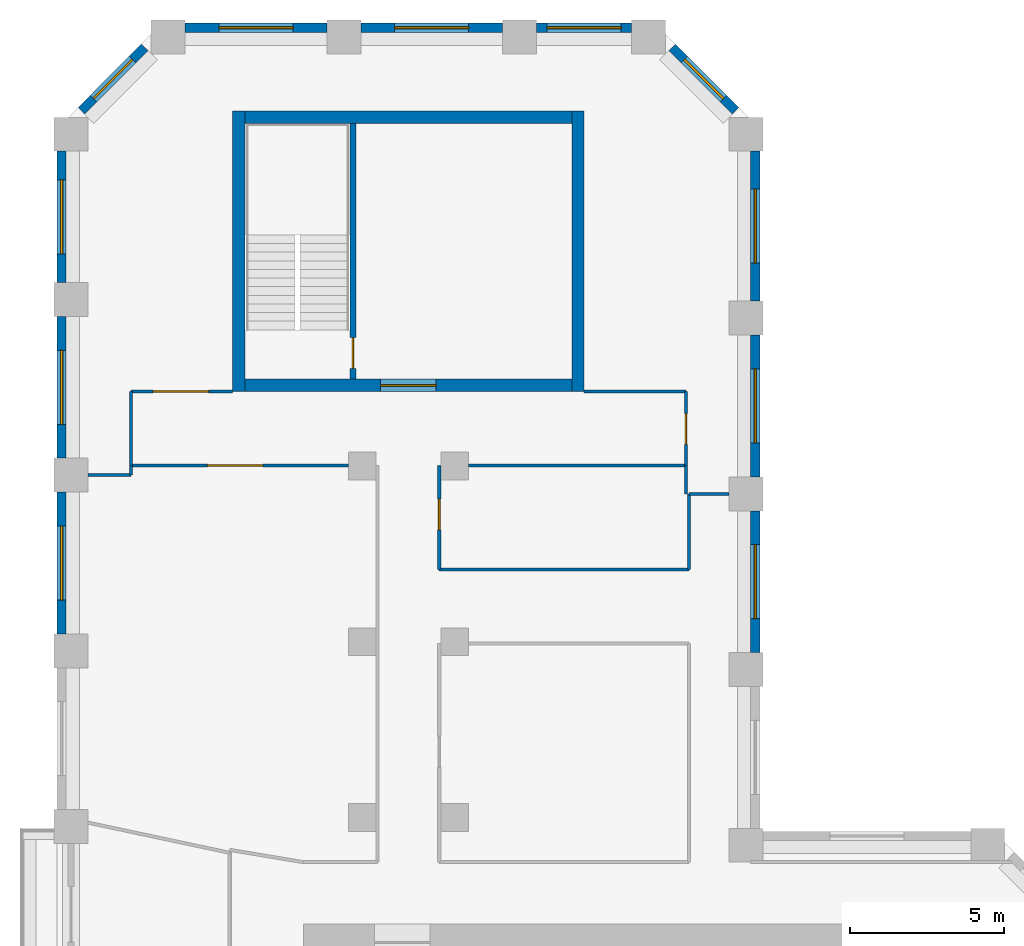
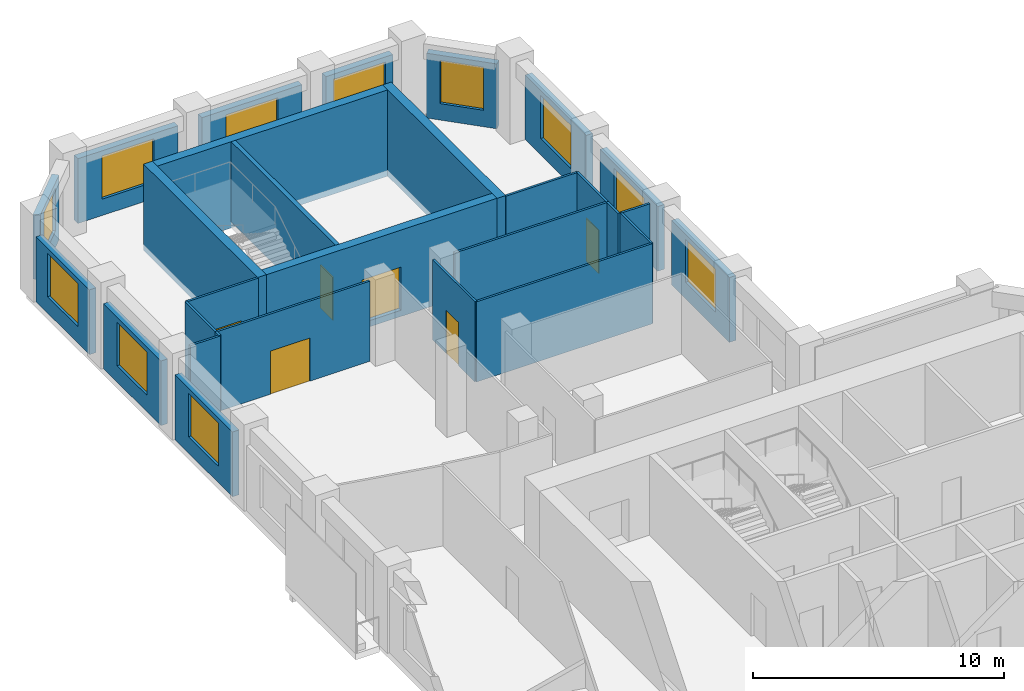
# One storey, part 8 of 10: 29 walls, 11 windows, 6 doors, 17 openings.
"""IFC4 building model written with IfcOpenShell, lengths in metres."""

import ifcopenshell
import ifcopenshell.guid

model = None  # the IFC model being written
_history = None  # IfcOwnerHistory: only IFC2X3 demands one
_inside = {}  # id of a spatial element -> (the spatial element, [elements in it])
_under = {}  # id of a project, library or spatial element -> (it, [spatial elements below it])
_declared = {}  # id of a project -> (the project, [libraries it declares])
_typed = {}  # id of a type object -> (the type object, [elements of that type])
_made_of = {}  # id of a material, layer set ... -> (it, [elements and type objects made of it])


def new_model(schema):
    """Start an empty IFC model of exactly this schema.

    Asked for "IFC4X3", IfcOpenShell would pick the latest addendum, in which some entities
    have other attributes; the version numbers below select the first issue.
    IFC2X3 requires an IfcOwnerHistory on every rooted entity: one is made here for all.
    """
    global model, _history
    if schema == "IFC4X3":
        model = ifcopenshell.file(schema_version=(4, 3, 0, 0))
    else:
        model = ifcopenshell.file(schema=schema)
    _inside.clear()
    _under.clear()
    _declared.clear()
    _typed.clear()
    _made_of.clear()
    _history = None
    if model.schema == "IFC2X3":
        org = make("IfcOrganization", Name="unknown")
        user = make(
            "IfcPersonAndOrganization",
            ThePerson=make("IfcPerson", FamilyName="unknown"),
            TheOrganization=org,
        )
        app = make(
            "IfcApplication",
            ApplicationDeveloper=org,
            Version="unknown",
            ApplicationFullName="unknown",
            ApplicationIdentifier="unknown",
        )
        _history = make(
            "IfcOwnerHistory",
            OwningUser=user,
            OwningApplication=app,
            ChangeAction="ADDED",
            CreationDate=0,
        )
    return model


def make(cls, **values):
    """One entity of the class cls with the attributes given. An attribute that is None is left unset."""
    return model.create_entity(
        cls, **{name: value for name, value in values.items() if value is not None}
    )


def rooted(cls, **values):
    """An entity with a GlobalId (a new one), such as an element, a storey or a relation."""
    return make(cls, GlobalId=ifcopenshell.guid.new(), OwnerHistory=_history, **values)


def si_unit(unit_type, name, prefix=None):
    """IfcSIUnit, for example si_unit("LENGTHUNIT", "METRE", prefix="MILLI")."""
    return make("IfcSIUnit", UnitType=unit_type, Prefix=prefix, Name=name)


def assignment(units):
    """IfcUnitAssignment: the units of a project."""
    return None if units is None else make("IfcUnitAssignment", Units=units)


def point(xyz):
    """IfcCartesianPoint."""
    return None if xyz is None else make("IfcCartesianPoint", Coordinates=xyz)


def direction(xyz):
    """IfcDirection."""
    return None if xyz is None else make("IfcDirection", DirectionRatios=xyz)


def frame(location, z_axis=None, x_axis=None):
    """IfcAxis2Placement3D, a coordinate frame: its origin and axes. An axis left out is left unset."""
    return make(
        "IfcAxis2Placement3D",
        Location=point(location),
        Axis=direction(z_axis),
        RefDirection=direction(x_axis),
    )


def frame_2d(location, x_axis=None):
    """IfcAxis2Placement2D, a coordinate frame in the plane: its origin and x axis."""
    return make(
        "IfcAxis2Placement2D", Location=point(location), RefDirection=direction(x_axis)
    )


def origin():
    """The frame at (0, 0, 0) with its axes left unset."""
    return frame((0.0, 0.0, 0.0))


def place(relative_to, where):
    """IfcLocalPlacement: puts the frame where relative to a parent placement (None: the world)."""
    return make(
        "IfcLocalPlacement", PlacementRelTo=relative_to, RelativePlacement=where
    )


def context(
    kind, dimensions, precision=None, world=None, true_north=None, identifier=None
):
    """IfcGeometricRepresentationContext, for example the 3D "Model" context."""
    return make(
        "IfcGeometricRepresentationContext",
        ContextIdentifier=identifier,
        ContextType=kind,
        CoordinateSpaceDimension=dimensions,
        Precision=precision,
        WorldCoordinateSystem=world,
        TrueNorth=true_north,
    )


def subcontext(parent, identifier, kind, view, scale=None):
    """IfcGeometricRepresentationSubContext, for example "Body" below "Model"."""
    return make(
        "IfcGeometricRepresentationSubContext",
        ContextIdentifier=identifier,
        ContextType=kind,
        ParentContext=parent,
        TargetScale=scale,
        TargetView=view,
    )


def project(units=None, contexts=None):
    """IfcProject with its units and contexts."""
    return rooted(
        "IfcProject",
        Name="project",
        RepresentationContexts=contexts,
        UnitsInContext=assignment(units),
    )


def spatial(cls, under=None, at=None, **own):
    """A site, building, storey or space (cls), placed at a placement, below another one or the project."""
    s = rooted(cls, ObjectPlacement=at, **own)
    if under is not None:
        _under.setdefault(under.id(), (under, []))[1].append(s)
    return s


def profile(cls, at=None, kind="AREA", **sizes):
    """A parametric profile (cls). Its sizes go by their IFC names, for example OverallWidth=200.0."""
    return make(cls, ProfileType=kind, Position=at, **sizes)


def rectangle(**sizes):
    """IfcRectangleProfileDef."""
    return profile("IfcRectangleProfileDef", **sizes)


def extrude(swept, where, along, depth):
    """IfcExtrudedAreaSolid: the profile swept, set in the frame where, extruded along a direction by depth."""
    return make(
        "IfcExtrudedAreaSolid",
        SweptArea=swept,
        Position=where,
        ExtrudedDirection=direction(along),
        Depth=depth,
    )


def shape(context_of_items, identifier, shape_type, items):
    """IfcShapeRepresentation: the items that make up one representation, for example the "Body"."""
    return make(
        "IfcShapeRepresentation",
        ContextOfItems=context_of_items,
        RepresentationIdentifier=identifier,
        RepresentationType=shape_type,
        Items=items,
    )


def material(Name=None, Category=None):
    """IfcMaterial."""
    return make("IfcMaterial", Name=Name, Category=Category)


def layer(
    of_material, thickness, ventilated=None, Name=None, Category=None, Priority=None
):
    """IfcMaterialLayer: one layer of a wall or slab, of a material (None: an air gap)."""
    return make(
        "IfcMaterialLayer",
        Material=of_material,
        LayerThickness=thickness,
        IsVentilated=ventilated,
        Name=Name,
        Category=Category,
        Priority=Priority,
    )


def layer_set(layers, Name=None):
    """IfcMaterialLayerSet."""
    return make("IfcMaterialLayerSet", MaterialLayers=layers, LayerSetName=Name)


def made_of(thing, what):
    """Note that an element or type object is made of a material, layer set ...; save() writes the relation."""
    if what is not None:
        _made_of.setdefault(what.id(), (what, []))[1].append(thing)
    return thing


def type_object(cls, material=None, **own):
    """A type object (cls), such as IfcWallType, which elements share."""
    return made_of(rooted(cls, **own), material)


def element(
    cls,
    number,
    at=None,
    inside=None,
    cuts=None,
    type_object=None,
    material=None,
    context=None,
    identifier="Body",
    shape_type=None,
    held_by="IfcProductDefinitionShape",
    body=None,
    shapes=None,
    **own,
):
    """One element of the class cls, such as IfcWall. Its Tag is "e" and its number.

    at: its placement. inside: the storey or other place that contains it. cuts: it is an
    opening in that element (IfcRelVoidsElement). A single representation is given by context,
    identifier, shape_type and body (its items); several are given by shapes. held_by: the class
    of the entity that holds the representations. save() writes the other relations.
    """
    e = rooted(cls, Tag="e%d" % number, ObjectPlacement=at, **own)
    if body is not None:
        shapes = [shape(context, identifier, shape_type, body)]
    if shapes is not None:
        e.Representation = make(held_by, Representations=shapes)
    if inside is not None:
        _inside.setdefault(inside.id(), (inside, []))[1].append(e)
    if cuts is not None:
        rooted(
            "IfcRelVoidsElement", RelatingBuildingElement=cuts, RelatedOpeningElement=e
        )
    if type_object is not None:
        _typed.setdefault(type_object.id(), (type_object, []))[1].append(e)
    return made_of(e, material)


def fill(opening, filler):
    """IfcRelFillsElement: the door or window that sits in an opening."""
    return rooted(
        "IfcRelFillsElement",
        RelatingOpeningElement=opening,
        RelatedBuildingElement=filler,
    )


def aggregate(whole, parts):
    """IfcRelAggregates: a whole, such as a stair, and the parts it consists of."""
    return rooted("IfcRelAggregates", RelatingObject=whole, RelatedObjects=parts)


def save(model, path):
    """Write the relations noted so far, then the file.

    IfcRelAggregates (storeys below a building ...), IfcRelContainedInSpatialStructure (elements
    in a storey), IfcRelDefinesByType, IfcRelAssociatesMaterial and IfcRelDeclares: one each for
    every whole, place, type object, material and project.
    """
    for whole, parts in _under.values():
        aggregate(whole, parts)
    for where, things in _inside.values():
        rooted(
            "IfcRelContainedInSpatialStructure",
            RelatedElements=things,
            RelatingStructure=where,
        )
    for kind, things in _typed.values():
        rooted("IfcRelDefinesByType", RelatedObjects=things, RelatingType=kind)
    for what, things in _made_of.values():
        rooted("IfcRelAssociatesMaterial", RelatedObjects=things, RelatingMaterial=what)
    for by, libraries in _declared.values():
        rooted("IfcRelDeclares", RelatingContext=by, RelatedDefinitions=libraries)
    model.write(path)


model = new_model("IFC4")

# Units and contexts
model_context = context("Model", 3, precision=1e-05, world=origin(), true_north=direction((0.0, 1.0)))
body_context = subcontext(model_context, "Body", "Model", "MODEL_VIEW")
ifc_project = project(units=[si_unit("LENGTHUNIT", "METRE"), si_unit("AREAUNIT", "SQUARE_METRE"), si_unit("VOLUMEUNIT", "CUBIC_METRE"), si_unit("PLANEANGLEUNIT", "RADIAN"), si_unit("MASSUNIT", "GRAM", prefix="KILO")], contexts=[model_context])

# Site, building, storey
site_placement = place(None, origin())
site = spatial("IfcSite", under=ifc_project, at=site_placement, CompositionType="ELEMENT")
building_placement = place(site_placement, origin())
building = spatial("IfcBuilding", under=site, at=building_placement, Name="Meshkara Civic Tower", CompositionType="ELEMENT")
storey_placement = place(building_placement, frame((0.0, 0.0, 250.800048828125)))
storey = spatial("IfcBuildingStorey", under=building, at=storey_placement, Name="L57", CompositionType="ELEMENT", Elevation=250.800048828125)

# Wall, opening, door
ifc_material_1 = material(Name="Corridor wall 100")
ifc_layer_1 = layer(ifc_material_1, 0.10009765625)
ifc_layer_set_1 = layer_set([ifc_layer_1], Name="Corridor wall 100")
wall_type_1 = type_object("IfcWallType", Name="Corridor wall 100", PredefinedType="PARTITIONING", material=ifc_layer_set_1)
wall_1_placement = place(storey_placement, frame((2.39990234375, 51.77001953125, 0.0), z_axis=(0.0, 0.0, 1.0), x_axis=(1.0, 0.0, 0.0)))
wall_1 = element("IfcWall", 1, at=wall_1_placement, inside=storey, type_object=wall_type_1, Name="L57-W001", PredefinedType="PARTITIONING", context=body_context, shape_type="SweptSolid", body=[
    extrude(rectangle(XDim=7.050048828125, YDim=0.10009765625, at=frame_2d((3.52490234375, 0.0))), origin(), (0.0, 0.0, 1.0), 3.89990234375),
])
opening_1_placement = place(wall_1_placement, frame((2.47998046875, 0.0, 0.0)))
opening_1 = element("IfcOpeningElement", 2, at=opening_1_placement, cuts=wall_1, Name="Opening L57-D016", PredefinedType="OPENING", context=body_context, shape_type="SweptSolid", body=[
    extrude(rectangle(XDim=1.800048828125, YDim=2.10009765625, at=frame_2d((0.89990234375, 1.050048828125))), frame((0.0, 0.06005859375, 0.0), z_axis=(0.0, -1.0, 0.0), x_axis=(1.0, 0.0, 0.0)), (0.0, 0.0, 1.0), 0.1201171875),
])
ifc_material_2 = material(Name="Door pair 1800 x 2100")
door_type_1 = type_object("IfcDoorType", Name="Door pair 1800 x 2100", OperationType="SINGLE_SWING_LEFT", PredefinedType="DOOR", material=ifc_material_2)
door_1_placement = place(opening_1_placement, origin())
door_1 = element("IfcDoor", 3, at=door_1_placement, inside=storey, type_object=door_type_1, Name="L57-D016", OperationType="DOUBLE_DOOR_SINGLE_SWING", OverallHeight=2.10009765625, OverallWidth=1.800048828125, PredefinedType="DOOR", context=body_context, shape_type="SweptSolid", body=[
    extrude(rectangle(XDim=1.800048828125, YDim=2.10009765625, at=frame_2d((0.89990234375, 1.050048828125))), frame((0.0, 0.02490234375, 0.0), z_axis=(0.0, -1.0, 0.0), x_axis=(1.0, 0.0, 0.0)), (0.0, 0.0, 1.0), 0.050048828125),
])
fill(opening_1, door_1)

# Wall
wall_2_placement = place(storey_placement, frame((2.39990234375, 54.169921875, 0.0), z_axis=(0.0, 0.0, 1.0), x_axis=(0.0, -1.0, 0.0)))
element("IfcWall", 4, at=wall_2_placement, inside=storey, type_object=wall_type_1, Name="L57-W002", PredefinedType="PARTITIONING", context=body_context, shape_type="SweptSolid", body=[
    extrude(rectangle(XDim=2.39990234375, YDim=0.10009765625, at=frame_2d((1.199951171875, 0.0))), origin(), (0.0, 0.0, 1.0), 3.89990234375),
])

# Wall, opening, door
wall_3_placement = place(storey_placement, frame((5.699951171875, 54.169921875, 0.0), z_axis=(0.0, 0.0, 1.0), x_axis=(-1.0, 0.0, 0.0)))
wall_3 = element("IfcWall", 5, at=wall_3_placement, inside=storey, type_object=wall_type_1, Name="L57-W005", PredefinedType="PARTITIONING", context=body_context, shape_type="SweptSolid", body=[
    extrude(rectangle(XDim=3.300048828125, YDim=0.10009765625, at=frame_2d((1.64990234375, 0.0))), origin(), (0.0, 0.0, 1.0), 3.89990234375),
])
opening_2_placement = place(wall_3_placement, frame((0.780029296875, 0.0, 0.0)))
opening_2 = element("IfcOpeningElement", 6, at=opening_2_placement, cuts=wall_3, Name="Opening L57-D019", PredefinedType="OPENING", context=body_context, shape_type="SweptSolid", body=[
    extrude(rectangle(XDim=1.800048828125, YDim=2.10009765625, at=frame_2d((0.89990234375, 1.050048828125))), frame((0.0, 0.06005859375, 0.0), z_axis=(0.0, -1.0, 0.0), x_axis=(1.0, 0.0, 0.0)), (0.0, 0.0, 1.0), 0.1201171875),
])
door_2_placement = place(opening_2_placement, origin())
door_2 = element("IfcDoor", 7, at=door_2_placement, inside=storey, type_object=door_type_1, Name="L57-D019", OperationType="DOUBLE_DOOR_SINGLE_SWING", OverallHeight=2.10009765625, OverallWidth=1.800048828125, PredefinedType="DOOR", context=body_context, shape_type="SweptSolid", body=[
    extrude(rectangle(XDim=1.800048828125, YDim=2.10009765625, at=frame_2d((0.89990234375, 1.050048828125))), frame((0.0, 0.02490234375, 0.0), z_axis=(0.0, -1.0, 0.0), x_axis=(1.0, 0.0, 0.0)), (0.0, 0.0, 1.0), 0.050048828125),
])
fill(opening_2, door_2)

wall_4_placement = place(storey_placement, frame((12.39990234375, 48.39990234375, 0.0), z_axis=(0.0, 0.0, 1.0), x_axis=(0.0, 1.0, 0.0)))
wall_4 = element("IfcWall", 8, at=wall_4_placement, inside=storey, type_object=wall_type_1, Name="L57-W015", PredefinedType="PARTITIONING", context=body_context, shape_type="SweptSolid", body=[
    extrude(rectangle(XDim=3.3701171875, YDim=0.10009765625, at=frame_2d((1.68505859375, 0.0))), origin(), (0.0, 0.0, 1.0), 3.89990234375),
])
opening_3_placement = place(wall_4_placement, frame((1.280029296875, 0.0, 0.0)))
opening_3 = element("IfcOpeningElement", 9, at=opening_3_placement, cuts=wall_4, Name="Opening L57-D017", PredefinedType="OPENING", context=body_context, shape_type="SweptSolid", body=[
    extrude(rectangle(XDim=1.0, YDim=2.10009765625, at=frame_2d((0.5, 1.050048828125))), frame((0.0, 0.06005859375, 0.0), z_axis=(0.0, -1.0, 0.0), x_axis=(1.0, 0.0, 0.0)), (0.0, 0.0, 1.0), 0.1201171875),
])
ifc_material_3 = material(Name="Door 1000 x 2100")
door_type_2 = type_object("IfcDoorType", Name="Door 1000 x 2100", OperationType="SINGLE_SWING_LEFT", PredefinedType="DOOR", material=ifc_material_3)
door_3_placement = place(opening_3_placement, origin())
door_3 = element("IfcDoor", 10, at=door_3_placement, inside=storey, type_object=door_type_2, Name="L57-D017", OperationType="SINGLE_SWING_LEFT", OverallHeight=2.10009765625, OverallWidth=1.0, PredefinedType="DOOR", context=body_context, shape_type="SweptSolid", body=[
    extrude(rectangle(XDim=1.0, YDim=2.10009765625, at=frame_2d((0.5, 1.050048828125))), frame((0.0, 0.02490234375, 0.0), z_axis=(0.0, -1.0, 0.0), x_axis=(1.0, 0.0, 0.0)), (0.0, 0.0, 1.0), 0.050048828125),
])
fill(opening_3, door_3)

# Wall
wall_5_placement = place(storey_placement, frame((13.35009765625, 51.77001953125, 0.0), z_axis=(0.0, 0.0, 1.0), x_axis=(1.0, 0.0, 0.0)))
element("IfcWall", 11, at=wall_5_placement, inside=storey, type_object=wall_type_1, Name="L57-W018", PredefinedType="PARTITIONING", context=body_context, shape_type="SweptSolid", body=[
    extrude(rectangle(XDim=7.0498046875, YDim=0.10009765625, at=frame_2d((3.52490234375, 0.0))), origin(), (0.0, 0.0, 1.0), 3.89990234375),
])

# Wall, opening, door
wall_6_placement = place(storey_placement, frame((20.39990234375, 51.77001953125, 0.0), z_axis=(0.0, 0.0, 1.0), x_axis=(0.0, 1.0, 0.0)))
wall_6 = element("IfcWall", 12, at=wall_6_placement, inside=storey, type_object=wall_type_1, Name="L57-W019", PredefinedType="PARTITIONING", context=body_context, shape_type="SweptSolid", body=[
    extrude(rectangle(XDim=2.39990234375, YDim=0.10009765625, at=frame_2d((1.199951171875, 0.0))), origin(), (0.0, 0.0, 1.0), 3.89990234375),
])
opening_4_placement = place(wall_6_placement, frame((0.679931640625, 0.0, 0.0)))
opening_4 = element("IfcOpeningElement", 13, at=opening_4_placement, cuts=wall_6, Name="Opening L57-D018", PredefinedType="OPENING", context=body_context, shape_type="SweptSolid", body=[
    extrude(rectangle(XDim=1.0, YDim=2.10009765625, at=frame_2d((0.5, 1.050048828125))), frame((0.0, 0.06005859375, 0.0), z_axis=(0.0, -1.0, 0.0), x_axis=(1.0, 0.0, 0.0)), (0.0, 0.0, 1.0), 0.1201171875),
])
door_4_placement = place(opening_4_placement, origin())
door_4 = element("IfcDoor", 14, at=door_4_placement, inside=storey, type_object=door_type_2, Name="L57-D018", OperationType="SINGLE_SWING_RIGHT", OverallHeight=2.10009765625, OverallWidth=1.0, PredefinedType="DOOR", context=body_context, shape_type="SweptSolid", body=[
    extrude(rectangle(XDim=1.0, YDim=2.10009765625, at=frame_2d((0.5, 1.050048828125))), frame((0.0, 0.02490234375, 0.0), z_axis=(0.0, -1.0, 0.0), x_axis=(1.0, 0.0, 0.0)), (0.0, 0.0, 1.0), 0.050048828125),
])
fill(opening_4, door_4)

# Walls
wall_7_placement = place(storey_placement, frame((20.39990234375, 54.169921875, 0.0), z_axis=(0.0, 0.0, 1.0), x_axis=(-1.0, 0.0, 0.0)))
element("IfcWall", 15, at=wall_7_placement, inside=storey, type_object=wall_type_1, Name="L57-W020", PredefinedType="PARTITIONING", context=body_context, shape_type="SweptSolid", body=[
    extrude(rectangle(XDim=3.2998046875, YDim=0.10009765625, at=frame_2d((1.64990234375, 0.0))), origin(), (0.0, 0.0, 1.0), 3.89990234375),
])
wall_8_placement = place(storey_placement, frame((20.5, 48.39990234375, 0.0), z_axis=(0.0, 0.0, 1.0), x_axis=(-1.0, 0.0, 0.0)))
element("IfcWall", 16, at=wall_8_placement, inside=storey, type_object=wall_type_1, Name="L57-W023", PredefinedType="PARTITIONING", context=body_context, shape_type="SweptSolid", body=[
    extrude(rectangle(XDim=8.10009765625, YDim=0.10009765625, at=frame_2d((4.050048828125, 0.0))), origin(), (0.0, 0.0, 1.0), 3.89990234375),
])
wall_9_placement = place(storey_placement, frame((20.5, 50.85009765625, 0.0), z_axis=(0.0, 0.0, 1.0), x_axis=(0.0, -1.0, 0.0)))
element("IfcWall", 17, at=wall_9_placement, inside=storey, type_object=wall_type_1, Name="L57-W024", PredefinedType="PARTITIONING", context=body_context, shape_type="SweptSolid", body=[
    extrude(rectangle(XDim=2.4501953125, YDim=0.10009765625, at=frame_2d((1.22509765625, 0.0))), origin(), (0.0, 0.0, 1.0), 3.89990234375),
])
wall_10_placement = place(storey_placement, frame((21.800048828125, 50.85009765625, 0.0), z_axis=(0.0, 0.0, 1.0), x_axis=(-1.0, 0.0, 0.0)))
element("IfcWall", 18, at=wall_10_placement, inside=storey, type_object=wall_type_1, Name="L57-W025", PredefinedType="PARTITIONING", context=body_context, shape_type="SweptSolid", body=[
    extrude(rectangle(XDim=1.300048828125, YDim=0.10009765625, at=frame_2d((0.64990234375, 0.0))), origin(), (0.0, 0.0, 1.0), 3.89990234375),
])

# Wall, opening, window
ifc_material_4 = material(Name="Insulated infill panel with bronze anodised aluminium cladding", Category="aluminium")
ifc_layer_2 = layer(ifc_material_4, 0.300048828125)
ifc_layer_set_2 = layer_set([ifc_layer_2], Name="EXTERNAL INFILL WALL 300")
wall_type_2 = type_object("IfcWallType", Name="EXTERNAL INFILL WALL 300", PredefinedType="SOLIDWALL", material=ifc_layer_set_2)
wall_11_placement = place(storey_placement, frame((22.64990234375, 45.699951171875, 0.0), z_axis=(0.0, 0.0, 1.0), x_axis=(0.0, 1.0, 0.0)))
wall_11 = element("IfcWall", 19, at=wall_11_placement, inside=storey, type_object=wall_type_2, Name="External wall", PredefinedType="SOLIDWALL", context=body_context, shape_type="SweptSolid", body=[
    extrude(rectangle(XDim=4.60009765625, YDim=0.300048828125, at=frame_2d((2.300048828125, 0.0))), origin(), (0.0, 0.0, 1.0), 3.14990234375),
])
opening_5_placement = place(wall_11_placement, frame((1.10009765625, 0.0, 0.800048828125)))
opening_5 = element("IfcOpeningElement", 20, at=opening_5_placement, cuts=wall_11, Name="Opening W7", PredefinedType="OPENING", context=body_context, shape_type="SweptSolid", body=[
    extrude(rectangle(XDim=2.39990234375, YDim=2.10009765625, at=frame_2d((1.199951171875, 1.050048828125))), frame((0.0, 0.159912109375, 0.0), z_axis=(0.0, -1.0, 0.0), x_axis=(1.0, 0.0, 0.0)), (0.0, 0.0, 1.0), 0.320068359375),
])
ifc_material_5 = material(Name="Tinted double glazing", Category="glass")
window_type_1 = type_object("IfcWindowType", Name="WINDOW 2400x2100", PartitioningType="DOUBLE_PANEL_VERTICAL", PredefinedType="WINDOW", material=ifc_material_5)
window_1_placement = place(opening_5_placement, origin())
window_1 = element("IfcWindow", 21, at=window_1_placement, inside=storey, type_object=window_type_1, Name="Window", OverallHeight=2.10009765625, OverallWidth=2.39990234375, PartitioningType="DOUBLE_PANEL_VERTICAL", PredefinedType="WINDOW", context=body_context, shape_type="SweptSolid", body=[
    extrude(rectangle(XDim=2.39990234375, YDim=2.10009765625, at=frame_2d((1.199951171875, 1.050048828125))), frame((0.0, 0.030029296875, 0.0), z_axis=(0.0, -1.0, 0.0), x_axis=(1.0, 0.0, 0.0)), (0.0, 0.0, 1.0), 0.06005859375),
])
fill(opening_5, window_1)

wall_12_placement = place(storey_placement, frame((22.64990234375, 51.39990234375, 0.0), z_axis=(0.0, 0.0, 1.0), x_axis=(0.0, 1.0, 0.0)))
wall_12 = element("IfcWall", 22, at=wall_12_placement, inside=storey, type_object=wall_type_2, Name="External wall", PredefinedType="SOLIDWALL", context=body_context, shape_type="SweptSolid", body=[
    extrude(rectangle(XDim=4.60009765625, YDim=0.300048828125, at=frame_2d((2.300048828125, 0.0))), origin(), (0.0, 0.0, 1.0), 3.14990234375),
])
opening_6_placement = place(wall_12_placement, frame((1.10009765625, 0.0, 0.800048828125)))
opening_6 = element("IfcOpeningElement", 23, at=opening_6_placement, cuts=wall_12, Name="Opening W7", PredefinedType="OPENING", context=body_context, shape_type="SweptSolid", body=[
    extrude(rectangle(XDim=2.39990234375, YDim=2.10009765625, at=frame_2d((1.199951171875, 1.050048828125))), frame((0.0, 0.159912109375, 0.0), z_axis=(0.0, -1.0, 0.0), x_axis=(1.0, 0.0, 0.0)), (0.0, 0.0, 1.0), 0.320068359375),
])
window_2_placement = place(opening_6_placement, origin())
window_2 = element("IfcWindow", 24, at=window_2_placement, inside=storey, type_object=window_type_1, Name="Window", OverallHeight=2.10009765625, OverallWidth=2.39990234375, PartitioningType="DOUBLE_PANEL_VERTICAL", PredefinedType="WINDOW", context=body_context, shape_type="SweptSolid", body=[
    extrude(rectangle(XDim=2.39990234375, YDim=2.10009765625, at=frame_2d((1.199951171875, 1.050048828125))), frame((0.0, 0.030029296875, 0.0), z_axis=(0.0, -1.0, 0.0), x_axis=(1.0, 0.0, 0.0)), (0.0, 0.0, 1.0), 0.06005859375),
])
fill(opening_6, window_2)

wall_13_placement = place(storey_placement, frame((22.64990234375, 57.10009765625, 0.0), z_axis=(0.0, 0.0, 1.0), x_axis=(0.0, 1.0, 0.0)))
wall_13 = element("IfcWall", 25, at=wall_13_placement, inside=storey, type_object=wall_type_2, Name="External wall", PredefinedType="SOLIDWALL", context=body_context, shape_type="SweptSolid", body=[
    extrude(rectangle(XDim=4.864013671875, YDim=0.300048828125, at=frame_2d((2.43212890625, 0.0))), origin(), (0.0, 0.0, 1.0), 3.14990234375),
])
opening_7_placement = place(wall_13_placement, frame((1.23193359375, 0.0, 0.800048828125)))
opening_7 = element("IfcOpeningElement", 26, at=opening_7_placement, cuts=wall_13, Name="Opening W7", PredefinedType="OPENING", context=body_context, shape_type="SweptSolid", body=[
    extrude(rectangle(XDim=2.39990234375, YDim=2.10009765625, at=frame_2d((1.199951171875, 1.050048828125))), frame((0.0, 0.159912109375, 0.0), z_axis=(0.0, -1.0, 0.0), x_axis=(1.0, 0.0, 0.0)), (0.0, 0.0, 1.0), 0.320068359375),
])
window_3_placement = place(opening_7_placement, origin())
window_3 = element("IfcWindow", 27, at=window_3_placement, inside=storey, type_object=window_type_1, Name="Window", OverallHeight=2.10009765625, OverallWidth=2.39990234375, PartitioningType="DOUBLE_PANEL_VERTICAL", PredefinedType="WINDOW", context=body_context, shape_type="SweptSolid", body=[
    extrude(rectangle(XDim=2.39990234375, YDim=2.10009765625, at=frame_2d((1.199951171875, 1.050048828125))), frame((0.0, 0.030029296875, 0.0), z_axis=(0.0, -1.0, 0.0), x_axis=(1.0, 0.0, 0.0)), (0.0, 0.0, 1.0), 0.06005859375),
])
fill(opening_7, window_3)

wall_14_placement = place(storey_placement, frame((22.011962890625, 63.27587890625, 0.0), z_axis=(0.0, 0.0, 1.0), x_axis=(-0.707064797706, 0.707148762175, 0.0)))
wall_14 = element("IfcWall", 28, at=wall_14_placement, inside=storey, type_object=wall_type_2, Name="External wall", PredefinedType="SOLIDWALL", context=body_context, shape_type="SweptSolid", body=[
    extrude(rectangle(XDim=2.90771484375, YDim=0.300048828125, at=frame_2d((1.453857421875, 0.0))), origin(), (0.0, 0.0, 1.0), 3.14990234375),
])
opening_8_placement = place(wall_14_placement, frame((0.553955078125, 0.0, 0.800048828125)))
opening_8 = element("IfcOpeningElement", 29, at=opening_8_placement, cuts=wall_14, Name="Opening W9", PredefinedType="OPENING", context=body_context, shape_type="SweptSolid", body=[
    extrude(rectangle(XDim=1.800048828125, YDim=2.10009765625, at=frame_2d((0.89990234375, 1.050048828125))), frame((0.0, 0.159912109375, 0.0), z_axis=(0.0, -1.0, 0.0), x_axis=(1.0, 0.0, 0.0)), (0.0, 0.0, 1.0), 0.320068359375),
])
ifc_material_6 = material(Name="Tinted double glazing", Category="glass")
window_type_2 = type_object("IfcWindowType", Name="WINDOW 1800x2100", PartitioningType="DOUBLE_PANEL_VERTICAL", PredefinedType="WINDOW", material=ifc_material_6)
window_4_placement = place(opening_8_placement, origin())
window_4 = element("IfcWindow", 30, at=window_4_placement, inside=storey, type_object=window_type_2, Name="Window", OverallHeight=2.10009765625, OverallWidth=1.800048828125, PartitioningType="DOUBLE_PANEL_VERTICAL", PredefinedType="WINDOW", context=body_context, shape_type="SweptSolid", body=[
    extrude(rectangle(XDim=1.800048828125, YDim=2.10009765625, at=frame_2d((0.89990234375, 1.050048828125))), frame((0.0, 0.030029296875, 0.0), z_axis=(0.0, -1.0, 0.0), x_axis=(1.0, 0.0, 0.0)), (0.0, 0.0, 1.0), 0.06005859375),
])
fill(opening_8, window_4)

wall_15_placement = place(storey_placement, frame((18.64404296875, 65.969970703125, 0.0), z_axis=(0.0, 0.0, 1.0), x_axis=(-1.0, 0.0, 0.0)))
wall_15 = element("IfcWall", 31, at=wall_15_placement, inside=storey, type_object=wall_type_2, Name="External wall", PredefinedType="SOLIDWALL", context=body_context, shape_type="SweptSolid", body=[
    extrude(rectangle(XDim=3.088134765625, YDim=0.300048828125, at=frame_2d((1.5439453125, 0.0))), origin(), (0.0, 0.0, 1.0), 3.14990234375),
])
opening_9_placement = place(wall_15_placement, frame((0.343994140625, 0.0, 0.800048828125)))
opening_9 = element("IfcOpeningElement", 32, at=opening_9_placement, cuts=wall_15, Name="Opening W7", PredefinedType="OPENING", context=body_context, shape_type="SweptSolid", body=[
    extrude(rectangle(XDim=2.39990234375, YDim=2.10009765625, at=frame_2d((1.199951171875, 1.050048828125))), frame((0.0, 0.159912109375, 0.0), z_axis=(0.0, -1.0, 0.0), x_axis=(1.0, 0.0, 0.0)), (0.0, 0.0, 1.0), 0.320068359375),
])
window_5_placement = place(opening_9_placement, origin())
window_5 = element("IfcWindow", 33, at=window_5_placement, inside=storey, type_object=window_type_1, Name="Window", OverallHeight=2.10009765625, OverallWidth=2.39990234375, PartitioningType="DOUBLE_PANEL_VERTICAL", PredefinedType="WINDOW", context=body_context, shape_type="SweptSolid", body=[
    extrude(rectangle(XDim=2.39990234375, YDim=2.10009765625, at=frame_2d((1.199951171875, 1.050048828125))), frame((0.0, 0.030029296875, 0.0), z_axis=(0.0, -1.0, 0.0), x_axis=(1.0, 0.0, 0.0)), (0.0, 0.0, 1.0), 0.06005859375),
])
fill(opening_9, window_5)

wall_16_placement = place(storey_placement, frame((14.4560546875, 65.969970703125, 0.0), z_axis=(0.0, 0.0, 1.0), x_axis=(-1.0, 0.0, 0.0)))
wall_16 = element("IfcWall", 34, at=wall_16_placement, inside=storey, type_object=wall_type_2, Name="External wall", PredefinedType="SOLIDWALL", context=body_context, shape_type="SweptSolid", body=[
    extrude(rectangle(XDim=4.60009765625, YDim=0.300048828125, at=frame_2d((2.300048828125, 0.0))), origin(), (0.0, 0.0, 1.0), 3.14990234375),
])
opening_10_placement = place(wall_16_placement, frame((1.10009765625, 0.0, 0.800048828125)))
opening_10 = element("IfcOpeningElement", 35, at=opening_10_placement, cuts=wall_16, Name="Opening W7", PredefinedType="OPENING", context=body_context, shape_type="SweptSolid", body=[
    extrude(rectangle(XDim=2.39990234375, YDim=2.10009765625, at=frame_2d((1.199951171875, 1.050048828125))), frame((0.0, 0.159912109375, 0.0), z_axis=(0.0, -1.0, 0.0), x_axis=(1.0, 0.0, 0.0)), (0.0, 0.0, 1.0), 0.320068359375),
])
window_6_placement = place(opening_10_placement, origin())
window_6 = element("IfcWindow", 36, at=window_6_placement, inside=storey, type_object=window_type_1, Name="Window", OverallHeight=2.10009765625, OverallWidth=2.39990234375, PartitioningType="DOUBLE_PANEL_VERTICAL", PredefinedType="WINDOW", context=body_context, shape_type="SweptSolid", body=[
    extrude(rectangle(XDim=2.39990234375, YDim=2.10009765625, at=frame_2d((1.199951171875, 1.050048828125))), frame((0.0, 0.030029296875, 0.0), z_axis=(0.0, -1.0, 0.0), x_axis=(1.0, 0.0, 0.0)), (0.0, 0.0, 1.0), 0.06005859375),
])
fill(opening_10, window_6)

wall_17_placement = place(storey_placement, frame((8.756103515625, 65.969970703125, 0.0), z_axis=(0.0, 0.0, 1.0), x_axis=(-1.0, 0.0, 0.0)))
wall_17 = element("IfcWall", 37, at=wall_17_placement, inside=storey, type_object=wall_type_2, Name="External wall", PredefinedType="SOLIDWALL", context=body_context, shape_type="SweptSolid", body=[
    extrude(rectangle(XDim=4.60009765625, YDim=0.300048828125, at=frame_2d((2.300048828125, 0.0))), origin(), (0.0, 0.0, 1.0), 3.14990234375),
])
opening_11_placement = place(wall_17_placement, frame((1.10009765625, 0.0, 0.800048828125)))
opening_11 = element("IfcOpeningElement", 38, at=opening_11_placement, cuts=wall_17, Name="Opening W7", PredefinedType="OPENING", context=body_context, shape_type="SweptSolid", body=[
    extrude(rectangle(XDim=2.39990234375, YDim=2.10009765625, at=frame_2d((1.199951171875, 1.050048828125))), frame((0.0, 0.159912109375, 0.0), z_axis=(0.0, -1.0, 0.0), x_axis=(1.0, 0.0, 0.0)), (0.0, 0.0, 1.0), 0.320068359375),
])
window_7_placement = place(opening_11_placement, origin())
window_7 = element("IfcWindow", 39, at=window_7_placement, inside=storey, type_object=window_type_1, Name="Window", OverallHeight=2.10009765625, OverallWidth=2.39990234375, PartitioningType="DOUBLE_PANEL_VERTICAL", PredefinedType="WINDOW", context=body_context, shape_type="SweptSolid", body=[
    extrude(rectangle(XDim=2.39990234375, YDim=2.10009765625, at=frame_2d((1.199951171875, 1.050048828125))), frame((0.0, 0.030029296875, 0.0), z_axis=(0.0, -1.0, 0.0), x_axis=(1.0, 0.0, 0.0)), (0.0, 0.0, 1.0), 0.06005859375),
])
fill(opening_11, window_7)

wall_18_placement = place(storey_placement, frame((2.843994140625, 65.33203125, 0.0), z_axis=(0.0, 0.0, 1.0), x_axis=(-0.707064797706, -0.707148762175, 0.0)))
wall_18 = element("IfcWall", 40, at=wall_18_placement, inside=storey, type_object=wall_type_2, Name="External wall", PredefinedType="SOLIDWALL", context=body_context, shape_type="SweptSolid", body=[
    extrude(rectangle(XDim=2.90771484375, YDim=0.300048828125, at=frame_2d((1.453857421875, 0.0))), origin(), (0.0, 0.0, 1.0), 3.14990234375),
])
opening_12_placement = place(wall_18_placement, frame((0.553955078125, 0.0, 0.800048828125)))
opening_12 = element("IfcOpeningElement", 41, at=opening_12_placement, cuts=wall_18, Name="Opening W9", PredefinedType="OPENING", context=body_context, shape_type="SweptSolid", body=[
    extrude(rectangle(XDim=1.800048828125, YDim=2.10009765625, at=frame_2d((0.89990234375, 1.050048828125))), frame((0.0, 0.159912109375, 0.0), z_axis=(0.0, -1.0, 0.0), x_axis=(1.0, 0.0, 0.0)), (0.0, 0.0, 1.0), 0.320068359375),
])
window_8_placement = place(opening_12_placement, origin())
window_8 = element("IfcWindow", 42, at=window_8_placement, inside=storey, type_object=window_type_2, Name="Window", OverallHeight=2.10009765625, OverallWidth=1.800048828125, PartitioningType="DOUBLE_PANEL_VERTICAL", PredefinedType="WINDOW", context=body_context, shape_type="SweptSolid", body=[
    extrude(rectangle(XDim=1.800048828125, YDim=2.10009765625, at=frame_2d((0.89990234375, 1.050048828125))), frame((0.0, 0.030029296875, 0.0), z_axis=(0.0, -1.0, 0.0), x_axis=(1.0, 0.0, 0.0)), (0.0, 0.0, 1.0), 0.06005859375),
])
fill(opening_12, window_8)

wall_19_placement = place(storey_placement, frame((0.14990234375, 61.964111328125, 0.0), z_axis=(0.0, 0.0, 1.0), x_axis=(0.0, -1.0, 0.0)))
wall_19 = element("IfcWall", 43, at=wall_19_placement, inside=storey, type_object=wall_type_2, Name="External wall", PredefinedType="SOLIDWALL", context=body_context, shape_type="SweptSolid", body=[
    extrude(rectangle(XDim=4.259033203125, YDim=0.300048828125, at=frame_2d((2.12939453125, 0.0))), origin(), (0.0, 0.0, 1.0), 3.14990234375),
])
opening_13_placement = place(wall_19_placement, frame((0.929931640625, 0.0, 0.800048828125)))
opening_13 = element("IfcOpeningElement", 44, at=opening_13_placement, cuts=wall_19, Name="Opening W7", PredefinedType="OPENING", context=body_context, shape_type="SweptSolid", body=[
    extrude(rectangle(XDim=2.39990234375, YDim=2.10009765625, at=frame_2d((1.199951171875, 1.050048828125))), frame((0.0, 0.159912109375, 0.0), z_axis=(0.0, -1.0, 0.0), x_axis=(1.0, 0.0, 0.0)), (0.0, 0.0, 1.0), 0.320068359375),
])
window_9_placement = place(opening_13_placement, origin())
window_9 = element("IfcWindow", 45, at=window_9_placement, inside=storey, type_object=window_type_1, Name="Window", OverallHeight=2.10009765625, OverallWidth=2.39990234375, PartitioningType="DOUBLE_PANEL_VERTICAL", PredefinedType="WINDOW", context=body_context, shape_type="SweptSolid", body=[
    extrude(rectangle(XDim=2.39990234375, YDim=2.10009765625, at=frame_2d((1.199951171875, 1.050048828125))), frame((0.0, 0.030029296875, 0.0), z_axis=(0.0, -1.0, 0.0), x_axis=(1.0, 0.0, 0.0)), (0.0, 0.0, 1.0), 0.06005859375),
])
fill(opening_13, window_9)

wall_20_placement = place(storey_placement, frame((0.14990234375, 56.60498046875, 0.0), z_axis=(0.0, 0.0, 1.0), x_axis=(0.0, -1.0, 0.0)))
wall_20 = element("IfcWall", 46, at=wall_20_placement, inside=storey, type_object=wall_type_2, Name="External wall", PredefinedType="SOLIDWALL", context=body_context, shape_type="SweptSolid", body=[
    extrude(rectangle(XDim=4.60009765625, YDim=0.300048828125, at=frame_2d((2.300048828125, 0.0))), origin(), (0.0, 0.0, 1.0), 3.14990234375),
])
opening_14_placement = place(wall_20_placement, frame((1.10009765625, 0.0, 0.800048828125)))
opening_14 = element("IfcOpeningElement", 47, at=opening_14_placement, cuts=wall_20, Name="Opening W7", PredefinedType="OPENING", context=body_context, shape_type="SweptSolid", body=[
    extrude(rectangle(XDim=2.39990234375, YDim=2.10009765625, at=frame_2d((1.199951171875, 1.050048828125))), frame((0.0, 0.159912109375, 0.0), z_axis=(0.0, -1.0, 0.0), x_axis=(1.0, 0.0, 0.0)), (0.0, 0.0, 1.0), 0.320068359375),
])
window_10_placement = place(opening_14_placement, origin())
window_10 = element("IfcWindow", 48, at=window_10_placement, inside=storey, type_object=window_type_1, Name="Window", OverallHeight=2.10009765625, OverallWidth=2.39990234375, PartitioningType="DOUBLE_PANEL_VERTICAL", PredefinedType="WINDOW", context=body_context, shape_type="SweptSolid", body=[
    extrude(rectangle(XDim=2.39990234375, YDim=2.10009765625, at=frame_2d((1.199951171875, 1.050048828125))), frame((0.0, 0.030029296875, 0.0), z_axis=(0.0, -1.0, 0.0), x_axis=(1.0, 0.0, 0.0)), (0.0, 0.0, 1.0), 0.06005859375),
])
fill(opening_14, window_10)

wall_21_placement = place(storey_placement, frame((0.14990234375, 50.905029296875, 0.0), z_axis=(0.0, 0.0, 1.0), x_axis=(0.0, -1.0, 0.0)))
wall_21 = element("IfcWall", 49, at=wall_21_placement, inside=storey, type_object=wall_type_2, Name="External wall", PredefinedType="SOLIDWALL", context=body_context, shape_type="SweptSolid", body=[
    extrude(rectangle(XDim=4.60009765625, YDim=0.300048828125, at=frame_2d((2.300048828125, 0.0))), origin(), (0.0, 0.0, 1.0), 3.14990234375),
])
opening_15_placement = place(wall_21_placement, frame((1.10009765625, 0.0, 0.800048828125)))
opening_15 = element("IfcOpeningElement", 50, at=opening_15_placement, cuts=wall_21, Name="Opening W7", PredefinedType="OPENING", context=body_context, shape_type="SweptSolid", body=[
    extrude(rectangle(XDim=2.39990234375, YDim=2.10009765625, at=frame_2d((1.199951171875, 1.050048828125))), frame((0.0, 0.159912109375, 0.0), z_axis=(0.0, -1.0, 0.0), x_axis=(1.0, 0.0, 0.0)), (0.0, 0.0, 1.0), 0.320068359375),
])
window_11_placement = place(opening_15_placement, origin())
window_11 = element("IfcWindow", 51, at=window_11_placement, inside=storey, type_object=window_type_1, Name="Window", OverallHeight=2.10009765625, OverallWidth=2.39990234375, PartitioningType="DOUBLE_PANEL_VERTICAL", PredefinedType="WINDOW", context=body_context, shape_type="SweptSolid", body=[
    extrude(rectangle(XDim=2.39990234375, YDim=2.10009765625, at=frame_2d((1.199951171875, 1.050048828125))), frame((0.0, 0.030029296875, 0.0), z_axis=(0.0, -1.0, 0.0), x_axis=(1.0, 0.0, 0.0)), (0.0, 0.0, 1.0), 0.06005859375),
])
fill(opening_15, window_11)

# Walls
ifc_material_7 = material(Name="Concrete C60", Category="concrete")
ifc_layer_3 = layer(ifc_material_7, 0.39990234375)
ifc_layer_set_3 = layer_set([ifc_layer_3], Name="End core ring wall 400 C60")
wall_type_3 = type_object("IfcWallType", Name="End core ring wall 400 C60", PredefinedType="SHEAR", material=ifc_layer_set_3)
for number, where, z_axis, x_axis, name in (
    (52, (5.89990234375, 54.169921875, -0.300048828125), (0.0, 0.0, 1.0), (0.0, 1.0, 0.0), "L57-C023"),
    (53, (16.89990234375, 54.169921875, -0.300048828125), (0.0, 0.0, 1.0), (0.0, 1.0, 0.0), "L57-C024"),
):
    element("IfcWall", number, at=place(storey_placement, frame(where, z_axis=z_axis, x_axis=x_axis)), inside=storey, type_object=wall_type_3, Name=name, PredefinedType="SHEAR", context=body_context, shape_type="SweptSolid", body=[
        extrude(rectangle(XDim=9.10009765625, YDim=0.39990234375, at=frame_2d((4.550048828125, 0.0))), origin(), (0.0, 0.0, 1.0), 4.199951171875),
    ])

# Wall, opening, door
wall_22_placement = place(storey_placement, frame((6.10009765625, 54.3701171875, -0.300048828125), z_axis=(0.0, 0.0, 1.0), x_axis=(1.0, 0.0, 0.0)))
wall_22 = element("IfcWall", 54, at=wall_22_placement, inside=storey, type_object=wall_type_3, Name="L57-C025", PredefinedType="SHEAR", context=body_context, shape_type="SweptSolid", body=[
    extrude(rectangle(XDim=10.599853515625, YDim=0.39990234375, at=frame_2d((5.2998046875, 0.0))), origin(), (0.0, 0.0, 1.0), 4.199951171875),
])
opening_16_placement = place(wall_22_placement, frame((4.39990234375, 0.0, 0.300048828125)))
opening_16 = element("IfcOpeningElement", 55, at=opening_16_placement, cuts=wall_22, Name="Opening L57-K102", PredefinedType="OPENING", context=body_context, shape_type="SweptSolid", body=[
    extrude(rectangle(XDim=1.800048828125, YDim=2.10009765625, at=frame_2d((0.89990234375, 1.050048828125))), frame((0.0, 0.2099609375, 0.0), z_axis=(0.0, -1.0, 0.0), x_axis=(1.0, 0.0, 0.0)), (0.0, 0.0, 1.0), 0.419921875),
])
ifc_material_8 = material(Name="Fire-rated door leaf in steel frame", Category="steel")
door_type_3 = type_object("IfcDoorType", Name="Core double door 1800 EI 60", OperationType="DOUBLE_DOOR_SINGLE_SWING", PredefinedType="DOOR", material=ifc_material_8)
door_5_placement = place(opening_16_placement, origin())
door_5 = element("IfcDoor", 56, at=door_5_placement, inside=storey, type_object=door_type_3, Name="L57-K102", OperationType="DOUBLE_DOOR_SINGLE_SWING", OverallHeight=2.10009765625, OverallWidth=1.800048828125, PredefinedType="DOOR", context=body_context, shape_type="SweptSolid", body=[
    extrude(rectangle(XDim=1.800048828125, YDim=2.10009765625, at=frame_2d((0.89990234375, 1.050048828125))), frame((0.0, 0.02490234375, 0.0), z_axis=(0.0, -1.0, 0.0), x_axis=(1.0, 0.0, 0.0)), (0.0, 0.0, 1.0), 0.050048828125),
])
fill(opening_16, door_5)

# Walls
wall_23_placement = place(storey_placement, frame((6.10009765625, 63.070068359375, -0.300048828125), z_axis=(0.0, 0.0, 1.0), x_axis=(1.0, 0.0, 0.0)))
element("IfcWall", 57, at=wall_23_placement, inside=storey, type_object=wall_type_3, Name="L57-C026", PredefinedType="SHEAR", context=body_context, shape_type="SweptSolid", body=[
    extrude(rectangle(XDim=10.599853515625, YDim=0.39990234375, at=frame_2d((5.2998046875, 0.0))), origin(), (0.0, 0.0, 1.0), 4.199951171875),
])
ifc_material_9 = material(Name="Partition 100")
ifc_layer_4 = layer(ifc_material_9, 0.10009765625)
ifc_layer_set_4 = layer_set([ifc_layer_4], Name="Partition 100")
wall_type_4 = type_object("IfcWallType", Name="Partition 100", PredefinedType="PARTITIONING", material=ifc_layer_set_4)
wall_24_placement = place(storey_placement, frame((2.39990234375, 51.455078125, 0.0), z_axis=(0.0, 0.0, 1.0), x_axis=(-1.0, 0.0, 0.0)))
element("IfcWall", 58, at=wall_24_placement, inside=storey, type_object=wall_type_4, Name="L57-W044", PredefinedType="PARTITIONING", context=body_context, shape_type="SweptSolid", body=[
    extrude(rectangle(XDim=1.39990234375, YDim=0.10009765625, at=frame_2d((0.699951171875, 0.0))), origin(), (0.0, 0.0, 1.0), 3.89990234375),
])
wall_25_placement = place(storey_placement, frame((2.39990234375, 51.77392578125, 0.0), z_axis=(0.0, 0.0, 1.0), x_axis=(0.0, -1.0, 0.0)))
element("IfcWall", 59, at=wall_25_placement, inside=storey, type_object=wall_type_4, Name="L57-W045", PredefinedType="PARTITIONING", context=body_context, shape_type="SweptSolid", body=[
    extrude(rectangle(XDim=0.31884765625, YDim=0.10009765625, at=frame_2d((0.159423828125, 0.0))), origin(), (0.0, 0.0, 1.0), 3.89990234375),
])
wall_26_placement = place(storey_placement, frame((20.39990234375, 50.85009765625, 0.0), z_axis=(0.0, 0.0, 1.0), x_axis=(0.0, 1.0, 0.0)))
element("IfcWall", 60, at=wall_26_placement, inside=storey, type_object=wall_type_4, Name="L57-W053", PredefinedType="PARTITIONING", context=body_context, shape_type="SweptSolid", body=[
    extrude(rectangle(XDim=0.923828125, YDim=0.10009765625, at=frame_2d((0.4619140625, 0.0))), origin(), (0.0, 0.0, 1.0), 3.89990234375),
])

# Wall, opening, door
ifc_material_10 = material(Name="Concrete C40/50", Category="concrete")
ifc_layer_5 = layer(ifc_material_10, 0.199951171875)
ifc_layer_set_5 = layer_set([ifc_layer_5], Name="Stair enclosure wall 200 C40/50")
wall_type_5 = type_object("IfcWallType", Name="Stair enclosure wall 200 C40/50", PredefinedType="SOLIDWALL", material=ifc_layer_set_5)
wall_27_placement = place(storey_placement, frame((9.60009765625, 54.570068359375, 0.0), z_axis=(0.0, 0.0, 1.0), x_axis=(0.0, 1.0, 0.0)))
wall_27 = element("IfcWall", 61, at=wall_27_placement, inside=storey, type_object=wall_type_5, Name="L57-C027", PredefinedType="SOLIDWALL", context=body_context, shape_type="SweptSolid", body=[
    extrude(rectangle(XDim=8.300048828125, YDim=0.199951171875, at=frame_2d((4.14990234375, 0.0))), origin(), (0.0, 0.0, 1.0), 3.89990234375),
])
opening_17_placement = place(wall_27_placement, frame((0.35009765625, 0.0, 0.0)))
opening_17 = element("IfcOpeningElement", 62, at=opening_17_placement, cuts=wall_27, Name="Opening L57-K101", PredefinedType="OPENING", context=body_context, shape_type="SweptSolid", body=[
    extrude(rectangle(XDim=1.0, YDim=2.10009765625, at=frame_2d((0.5, 1.050048828125))), frame((0.0, 0.10986328125, 0.0), z_axis=(0.0, -1.0, 0.0), x_axis=(1.0, 0.0, 0.0)), (0.0, 0.0, 1.0), 0.219970703125),
])
ifc_material_11 = material(Name="Fire-rated door leaf in steel frame", Category="steel")
door_type_4 = type_object("IfcDoorType", Name="Stair door 1000 EI 120", OperationType="SINGLE_SWING_LEFT", PredefinedType="DOOR", material=ifc_material_11)
door_6_placement = place(opening_17_placement, origin())
door_6 = element("IfcDoor", 63, at=door_6_placement, inside=storey, type_object=door_type_4, Name="L57-K101", OperationType="SINGLE_SWING_RIGHT", OverallHeight=2.10009765625, OverallWidth=1.0, PredefinedType="DOOR", context=body_context, shape_type="SweptSolid", body=[
    extrude(rectangle(XDim=1.0, YDim=2.10009765625, at=frame_2d((0.5, 1.050048828125))), frame((0.0, 0.02490234375, 0.0), z_axis=(0.0, -1.0, 0.0), x_axis=(1.0, 0.0, 0.0)), (0.0, 0.0, 1.0), 0.050048828125),
])
fill(opening_17, door_6)

save(model, "model.ifc")
